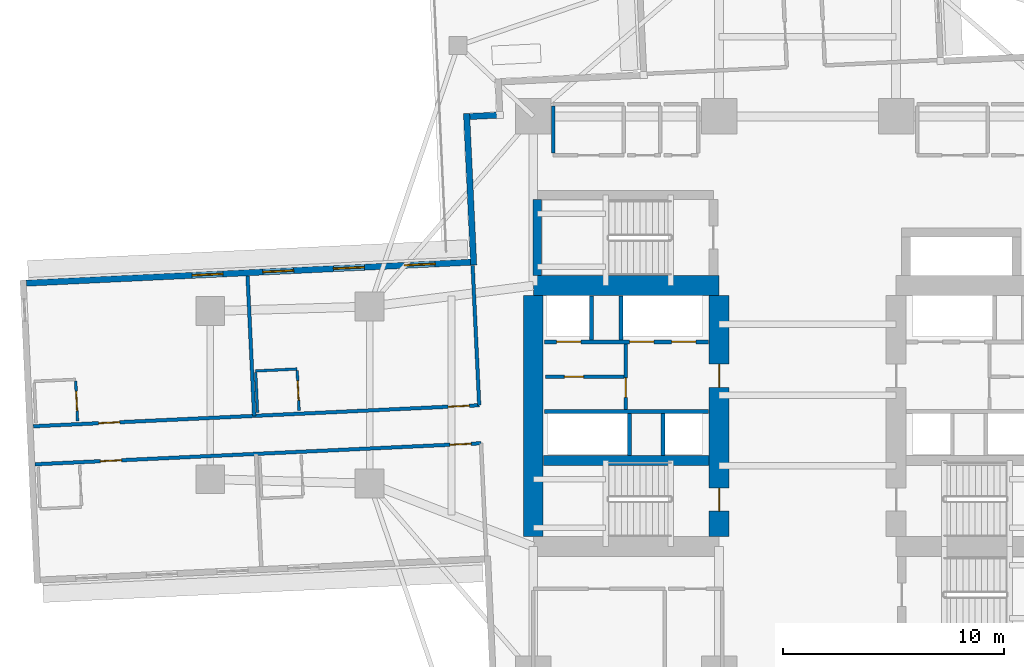
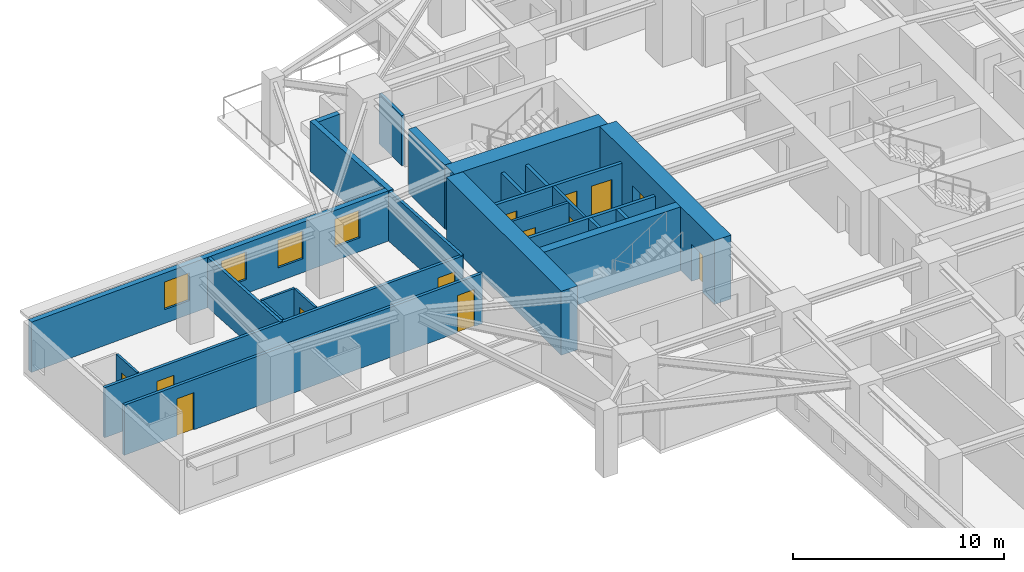
# One storey, part 5 of 14: 25 walls, 13 doors, 4 windows, 17 openings.
"""IFC4 building model written with IfcOpenShell, lengths in metres."""

import ifcopenshell
import ifcopenshell.guid

model = None  # the IFC model being written
_history = None  # IfcOwnerHistory: only IFC2X3 demands one
_inside = {}  # id of a spatial element -> (the spatial element, [elements in it])
_under = {}  # id of a project, library or spatial element -> (it, [spatial elements below it])
_declared = {}  # id of a project -> (the project, [libraries it declares])
_typed = {}  # id of a type object -> (the type object, [elements of that type])
_made_of = {}  # id of a material, layer set ... -> (it, [elements and type objects made of it])


def new_model(schema):
    """Start an empty IFC model of exactly this schema.

    Asked for "IFC4X3", IfcOpenShell would pick the latest addendum, in which some entities
    have other attributes; the version numbers below select the first issue.
    IFC2X3 requires an IfcOwnerHistory on every rooted entity: one is made here for all.
    """
    global model, _history
    if schema == "IFC4X3":
        model = ifcopenshell.file(schema_version=(4, 3, 0, 0))
    else:
        model = ifcopenshell.file(schema=schema)
    _inside.clear()
    _under.clear()
    _declared.clear()
    _typed.clear()
    _made_of.clear()
    _history = None
    if model.schema == "IFC2X3":
        org = make("IfcOrganization", Name="unknown")
        user = make(
            "IfcPersonAndOrganization",
            ThePerson=make("IfcPerson", FamilyName="unknown"),
            TheOrganization=org,
        )
        app = make(
            "IfcApplication",
            ApplicationDeveloper=org,
            Version="unknown",
            ApplicationFullName="unknown",
            ApplicationIdentifier="unknown",
        )
        _history = make(
            "IfcOwnerHistory",
            OwningUser=user,
            OwningApplication=app,
            ChangeAction="ADDED",
            CreationDate=0,
        )
    return model


def make(cls, **values):
    """One entity of the class cls with the attributes given. An attribute that is None is left unset."""
    return model.create_entity(
        cls, **{name: value for name, value in values.items() if value is not None}
    )


def rooted(cls, **values):
    """An entity with a GlobalId (a new one), such as an element, a storey or a relation."""
    return make(cls, GlobalId=ifcopenshell.guid.new(), OwnerHistory=_history, **values)


def si_unit(unit_type, name, prefix=None):
    """IfcSIUnit, for example si_unit("LENGTHUNIT", "METRE", prefix="MILLI")."""
    return make("IfcSIUnit", UnitType=unit_type, Prefix=prefix, Name=name)


def assignment(units):
    """IfcUnitAssignment: the units of a project."""
    return None if units is None else make("IfcUnitAssignment", Units=units)


def point(xyz):
    """IfcCartesianPoint."""
    return None if xyz is None else make("IfcCartesianPoint", Coordinates=xyz)


def direction(xyz):
    """IfcDirection."""
    return None if xyz is None else make("IfcDirection", DirectionRatios=xyz)


def frame(location, z_axis=None, x_axis=None):
    """IfcAxis2Placement3D, a coordinate frame: its origin and axes. An axis left out is left unset."""
    return make(
        "IfcAxis2Placement3D",
        Location=point(location),
        Axis=direction(z_axis),
        RefDirection=direction(x_axis),
    )


def frame_2d(location, x_axis=None):
    """IfcAxis2Placement2D, a coordinate frame in the plane: its origin and x axis."""
    return make(
        "IfcAxis2Placement2D", Location=point(location), RefDirection=direction(x_axis)
    )


def origin():
    """The frame at (0, 0, 0) with its axes left unset."""
    return frame((0.0, 0.0, 0.0))


def place(relative_to, where):
    """IfcLocalPlacement: puts the frame where relative to a parent placement (None: the world)."""
    return make(
        "IfcLocalPlacement", PlacementRelTo=relative_to, RelativePlacement=where
    )


def context(
    kind, dimensions, precision=None, world=None, true_north=None, identifier=None
):
    """IfcGeometricRepresentationContext, for example the 3D "Model" context."""
    return make(
        "IfcGeometricRepresentationContext",
        ContextIdentifier=identifier,
        ContextType=kind,
        CoordinateSpaceDimension=dimensions,
        Precision=precision,
        WorldCoordinateSystem=world,
        TrueNorth=true_north,
    )


def subcontext(parent, identifier, kind, view, scale=None):
    """IfcGeometricRepresentationSubContext, for example "Body" below "Model"."""
    return make(
        "IfcGeometricRepresentationSubContext",
        ContextIdentifier=identifier,
        ContextType=kind,
        ParentContext=parent,
        TargetScale=scale,
        TargetView=view,
    )


def project(units=None, contexts=None):
    """IfcProject with its units and contexts."""
    return rooted(
        "IfcProject",
        Name="project",
        RepresentationContexts=contexts,
        UnitsInContext=assignment(units),
    )


def spatial(cls, under=None, at=None, **own):
    """A site, building, storey or space (cls), placed at a placement, below another one or the project."""
    s = rooted(cls, ObjectPlacement=at, **own)
    if under is not None:
        _under.setdefault(under.id(), (under, []))[1].append(s)
    return s


def profile(cls, at=None, kind="AREA", **sizes):
    """A parametric profile (cls). Its sizes go by their IFC names, for example OverallWidth=200.0."""
    return make(cls, ProfileType=kind, Position=at, **sizes)


def rectangle(**sizes):
    """IfcRectangleProfileDef."""
    return profile("IfcRectangleProfileDef", **sizes)


def extrude(swept, where, along, depth):
    """IfcExtrudedAreaSolid: the profile swept, set in the frame where, extruded along a direction by depth."""
    return make(
        "IfcExtrudedAreaSolid",
        SweptArea=swept,
        Position=where,
        ExtrudedDirection=direction(along),
        Depth=depth,
    )


def shape(context_of_items, identifier, shape_type, items):
    """IfcShapeRepresentation: the items that make up one representation, for example the "Body"."""
    return make(
        "IfcShapeRepresentation",
        ContextOfItems=context_of_items,
        RepresentationIdentifier=identifier,
        RepresentationType=shape_type,
        Items=items,
    )


def material(Name=None, Category=None):
    """IfcMaterial."""
    return make("IfcMaterial", Name=Name, Category=Category)


def layer(
    of_material, thickness, ventilated=None, Name=None, Category=None, Priority=None
):
    """IfcMaterialLayer: one layer of a wall or slab, of a material (None: an air gap)."""
    return make(
        "IfcMaterialLayer",
        Material=of_material,
        LayerThickness=thickness,
        IsVentilated=ventilated,
        Name=Name,
        Category=Category,
        Priority=Priority,
    )


def layer_set(layers, Name=None):
    """IfcMaterialLayerSet."""
    return make("IfcMaterialLayerSet", MaterialLayers=layers, LayerSetName=Name)


def made_of(thing, what):
    """Note that an element or type object is made of a material, layer set ...; save() writes the relation."""
    if what is not None:
        _made_of.setdefault(what.id(), (what, []))[1].append(thing)
    return thing


def type_object(cls, material=None, **own):
    """A type object (cls), such as IfcWallType, which elements share."""
    return made_of(rooted(cls, **own), material)


def element(
    cls,
    number,
    at=None,
    inside=None,
    cuts=None,
    type_object=None,
    material=None,
    context=None,
    identifier="Body",
    shape_type=None,
    held_by="IfcProductDefinitionShape",
    body=None,
    shapes=None,
    **own,
):
    """One element of the class cls, such as IfcWall. Its Tag is "e" and its number.

    at: its placement. inside: the storey or other place that contains it. cuts: it is an
    opening in that element (IfcRelVoidsElement). A single representation is given by context,
    identifier, shape_type and body (its items); several are given by shapes. held_by: the class
    of the entity that holds the representations. save() writes the other relations.
    """
    e = rooted(cls, Tag="e%d" % number, ObjectPlacement=at, **own)
    if body is not None:
        shapes = [shape(context, identifier, shape_type, body)]
    if shapes is not None:
        e.Representation = make(held_by, Representations=shapes)
    if inside is not None:
        _inside.setdefault(inside.id(), (inside, []))[1].append(e)
    if cuts is not None:
        rooted(
            "IfcRelVoidsElement", RelatingBuildingElement=cuts, RelatedOpeningElement=e
        )
    if type_object is not None:
        _typed.setdefault(type_object.id(), (type_object, []))[1].append(e)
    return made_of(e, material)


def fill(opening, filler):
    """IfcRelFillsElement: the door or window that sits in an opening."""
    return rooted(
        "IfcRelFillsElement",
        RelatingOpeningElement=opening,
        RelatedBuildingElement=filler,
    )


def aggregate(whole, parts):
    """IfcRelAggregates: a whole, such as a stair, and the parts it consists of."""
    return rooted("IfcRelAggregates", RelatingObject=whole, RelatedObjects=parts)


def save(model, path):
    """Write the relations noted so far, then the file.

    IfcRelAggregates (storeys below a building ...), IfcRelContainedInSpatialStructure (elements
    in a storey), IfcRelDefinesByType, IfcRelAssociatesMaterial and IfcRelDeclares: one each for
    every whole, place, type object, material and project.
    """
    for whole, parts in _under.values():
        aggregate(whole, parts)
    for where, things in _inside.values():
        rooted(
            "IfcRelContainedInSpatialStructure",
            RelatedElements=things,
            RelatingStructure=where,
        )
    for kind, things in _typed.values():
        rooted("IfcRelDefinesByType", RelatedObjects=things, RelatingType=kind)
    for what, things in _made_of.values():
        rooted("IfcRelAssociatesMaterial", RelatedObjects=things, RelatingMaterial=what)
    for by, libraries in _declared.values():
        rooted("IfcRelDeclares", RelatingContext=by, RelatedDefinitions=libraries)
    model.write(path)


model = new_model("IFC4")

# Units and contexts
model_context = context("Model", 3, precision=1e-05, world=origin(), true_north=direction((0.0, 1.0)))
body_context = subcontext(model_context, "Body", "Model", "MODEL_VIEW")
ifc_project = project(units=[si_unit("LENGTHUNIT", "METRE"), si_unit("AREAUNIT", "SQUARE_METRE"), si_unit("VOLUMEUNIT", "CUBIC_METRE"), si_unit("PLANEANGLEUNIT", "RADIAN"), si_unit("MASSUNIT", "GRAM", prefix="KILO")], contexts=[model_context])

# Site, building, storey
site_placement = place(None, origin())
site = spatial("IfcSite", under=ifc_project, at=site_placement, CompositionType="ELEMENT")
building_placement = place(site_placement, origin())
building = spatial("IfcBuilding", under=site, at=building_placement, Name="Qingluan Cross Belvedere", CompositionType="ELEMENT")
storey_placement = place(building_placement, frame((0.0, 0.0, 35.39990234375)))
storey = spatial("IfcBuildingStorey", under=building, at=storey_placement, Name="L09", CompositionType="ELEMENT", Elevation=35.39990234375)

# Walls
ifc_material_1 = material(Name="Concrete C50", Category="concrete")
ifc_layer_1 = layer(ifc_material_1, 0.449951171875, Name="CoreShearWall_450")
ifc_layer_set_1 = layer_set([ifc_layer_1], Name="Concrete C50")
wall_type_1 = type_object("IfcWallType", Name="CoreShearWall_450", PredefinedType="SHEAR", material=ifc_layer_set_1)
wall_1_placement = place(storey_placement, frame((-11.945068359375, -2.9599609375, 0.0), z_axis=(0.0, 0.0, 1.0), x_axis=(1.0, 0.0, 0.0)))
element("IfcWall", 1, at=wall_1_placement, inside=storey, type_object=wall_type_1, Name="Split core W shear wall L09-M", PredefinedType="SHEAR", context=body_context, shape_type="SweptSolid", body=[
    extrude(rectangle(XDim=7.489990234375, YDim=0.449951171875, at=frame_2d((3.7451171875, 0.0))), origin(), (0.0, 0.0, 1.0), 3.7001953125),
])
wall_2_placement = place(storey_placement, frame((-12.219970703125, 5.405029296875, 0.0), z_axis=(0.0, 0.0, 1.0), x_axis=(0.0, 1.0, 0.0)))
element("IfcWall", 2, at=wall_2_placement, inside=storey, type_object=wall_type_1, Name="Stair ST3 structural wall W L09", PredefinedType="SHEAR", context=body_context, shape_type="SweptSolid", body=[
    extrude(rectangle(XDim=3.429931640625, YDim=0.39990234375, at=frame_2d((1.71484375, 0.0))), origin(), (0.0, 0.0, 1.0), 3.7001953125),
])
ifc_material_2 = material(Name="Concrete C70", Category="concrete")
ifc_layer_2 = layer(ifc_material_2, 0.89990234375, Name="CoreShearWall_900")
ifc_layer_set_2 = layer_set([ifc_layer_2], Name="Concrete C70")
wall_type_2 = type_object("IfcWallType", Name="CoreShearWall_900", PredefinedType="SHEAR", material=ifc_layer_set_2)
wall_3_placement = place(storey_placement, frame((-12.39990234375, 4.949951171875, 0.0), z_axis=(0.0, 0.0, 1.0), x_axis=(1.0, 0.0, 0.0)))
element("IfcWall", 3, at=wall_3_placement, inside=storey, type_object=wall_type_2, Name="Split core W shear wall L09-N", PredefinedType="SHEAR", context=body_context, shape_type="SweptSolid", body=[
    extrude(rectangle(XDim=8.39990234375, YDim=0.89990234375, at=frame_2d((4.199951171875, 0.0))), origin(), (0.0, 0.0, 1.0), 3.7001953125),
])
wall_4_placement = place(storey_placement, frame((-12.39990234375, -6.39501953125, 0.0), z_axis=(0.0, 0.0, 1.0), x_axis=(0.0, 1.0, 0.0)))
element("IfcWall", 4, at=wall_4_placement, inside=storey, type_object=wall_type_2, Name="Split core W shear wall L09-W", PredefinedType="SHEAR", context=body_context, shape_type="SweptSolid", body=[
    extrude(rectangle(XDim=10.89013671875, YDim=0.89990234375, at=frame_2d((5.445068359375, 0.0))), origin(), (0.0, 0.0, 1.0), 3.7001953125),
])

# Wall, openings, doors
wall_5_placement = place(storey_placement, frame((-4.0, -6.39501953125, 0.0), z_axis=(0.0, 0.0, 1.0), x_axis=(0.0, 1.0, 0.0)))
wall_5 = element("IfcWall", 5, at=wall_5_placement, inside=storey, type_object=wall_type_2, Name="Split core W shear wall L09-E", PredefinedType="SHEAR", context=body_context, shape_type="SweptSolid", body=[
    extrude(rectangle(XDim=10.89013671875, YDim=0.89990234375, at=frame_2d((5.445068359375, 0.0))), origin(), (0.0, 0.0, 1.0), 3.7001953125),
])
opening_1_placement = place(wall_5_placement, frame((1.14501953125, 0.0, 0.0)))
opening_1 = element("IfcOpeningElement", 6, at=opening_1_placement, cuts=wall_5, Name="Opening FD-B11", PredefinedType="OPENING", context=body_context, shape_type="SweptSolid", body=[
    extrude(rectangle(XDim=1.050048828125, YDim=2.14990234375, at=frame_2d((0.52490234375, 1.074951171875))), frame((0.0, 0.4599609375, 0.0), z_axis=(0.0, -1.0, 0.0), x_axis=(1.0, 0.0, 0.0)), (0.0, 0.0, 1.0), 0.919921875),
])
opening_2_placement = place(wall_5_placement, frame((6.7451171875, 0.0, 0.0)))
opening_2 = element("IfcOpeningElement", 7, at=opening_2_placement, cuts=wall_5, Name="Opening FD-B11", PredefinedType="OPENING", context=body_context, shape_type="SweptSolid", body=[
    extrude(rectangle(XDim=1.050048828125, YDim=2.14990234375, at=frame_2d((0.52490234375, 1.074951171875))), frame((0.0, 0.4599609375, 0.0), z_axis=(0.0, -1.0, 0.0), x_axis=(1.0, 0.0, 0.0)), (0.0, 0.0, 1.0), 0.919921875),
])
ifc_material_3 = material(Name="Steel Class B smoke-seal fire door", Category="steel")
door_type_1 = type_object("IfcDoorType", Name="StairLobbyFireDoor_FDB", OperationType="NOTDEFINED", PredefinedType="DOOR", material=ifc_material_3)
door_1_placement = place(opening_1_placement, origin())
door_1 = element("IfcDoor", 8, at=door_1_placement, inside=storey, type_object=door_type_1, Name="Smoke-proof stair ST1 fire door L09", OperationType="SINGLE_SWING_RIGHT", OverallHeight=2.14990234375, OverallWidth=1.050048828125, PredefinedType="DOOR", context=body_context, shape_type="SweptSolid", body=[
    extrude(rectangle(XDim=1.050048828125, YDim=2.14990234375, at=frame_2d((0.52490234375, 1.074951171875))), frame((0.0, 0.02490234375, 0.0), z_axis=(0.0, -1.0, 0.0), x_axis=(1.0, 0.0, 0.0)), (0.0, 0.0, 1.0), 0.050048828125),
])
fill(opening_1, door_1)
door_2_placement = place(opening_2_placement, origin())
door_2 = element("IfcDoor", 9, at=door_2_placement, inside=storey, type_object=door_type_1, Name="Firefighting lobby West fire door L09", OperationType="SINGLE_SWING_RIGHT", OverallHeight=2.14990234375, OverallWidth=1.050048828125, PredefinedType="DOOR", context=body_context, shape_type="SweptSolid", body=[
    extrude(rectangle(XDim=1.050048828125, YDim=2.14990234375, at=frame_2d((0.52490234375, 1.074951171875))), frame((0.0, 0.02490234375, 0.0), z_axis=(0.0, -1.0, 0.0), x_axis=(1.0, 0.0, 0.0)), (0.0, 0.0, 1.0), 0.050048828125),
])
fill(opening_2, door_2)

# Wall, opening, door
ifc_material_4 = material(Name="Gypsum plasterboard on steel stud acoustic partition", Category="steel")
ifc_layer_3 = layer(ifc_material_4, 0.159912109375, Name="CorridorPartition_160")
ifc_layer_set_3 = layer_set([ifc_layer_3], Name="Gypsum plasterboard on steel stud acoustic partition")
wall_type_3 = type_object("IfcWallType", Name="CorridorPartition_160", PredefinedType="PARTITIONING", material=ifc_layer_set_3)
wall_6_placement = place(storey_placement, frame((-11.85009765625, 0.830078125, 0.0), z_axis=(0.0, 0.0, 1.0), x_axis=(1.0, 0.0, 0.0)))
wall_6 = element("IfcWall", 10, at=wall_6_placement, inside=storey, type_object=wall_type_3, Name="Partition L09:w", PredefinedType="PARTITIONING", context=body_context, shape_type="SweptSolid", body=[
    extrude(rectangle(XDim=3.552001953125, YDim=0.139892578125, at=frame_2d((1.77587890625, 0.0))), origin(), (0.0, 0.0, 1.0), 2.900146484375),
])
opening_3_placement = place(wall_6_placement, frame((0.85009765625, 0.0, 0.0)))
opening_3 = element("IfcOpeningElement", 11, at=opening_3_placement, cuts=wall_6, Name="Opening FD-B10", PredefinedType="OPENING", context=body_context, shape_type="SweptSolid", body=[
    extrude(rectangle(XDim=0.8798828125, YDim=2.10009765625, at=frame_2d((0.43994140625, 1.050048828125))), frame((0.0, 0.079833984375, 0.0), z_axis=(0.0, -1.0, 0.0), x_axis=(1.0, 0.0, 0.0)), (0.0, 0.0, 1.0), 0.159912109375),
])
ifc_material_5 = material(Name="Steel Class B service fire door", Category="steel")
door_type_2 = type_object("IfcDoorType", Name="RiserServiceFireDoor_FDB", OperationType="NOTDEFINED", PredefinedType="DOOR", material=ifc_material_5)
door_3_placement = place(opening_3_placement, origin())
door_3 = element("IfcDoor", 12, at=door_3_placement, inside=storey, type_object=door_type_2, Name="Service closet inner door L09", OperationType="SINGLE_SWING_RIGHT", OverallHeight=2.10009765625, OverallWidth=0.8798828125, PredefinedType="DOOR", context=body_context, shape_type="SweptSolid", body=[
    extrude(rectangle(XDim=0.8798828125, YDim=2.10009765625, at=frame_2d((0.43994140625, 1.050048828125))), frame((0.0, 0.02490234375, 0.0), z_axis=(0.0, -1.0, 0.0), x_axis=(1.0, 0.0, 0.0)), (0.0, 0.0, 1.0), 0.050048828125),
])
fill(opening_3, door_3)

# Wall
wall_7_placement = place(storey_placement, frame((-11.5, 10.93505859375, 0.0), z_axis=(0.0, 0.0, 1.0), x_axis=(0.0, 1.0, 0.0)))
element("IfcWall", 13, at=wall_7_placement, inside=storey, type_object=wall_type_3, Name="Partition L09:q_nw_occ:W", PredefinedType="PARTITIONING", context=body_context, shape_type="SweptSolid", body=[
    extrude(rectangle(XDim=2.1298828125, YDim=0.159912109375, at=frame_2d((1.06494140625, 0.0))), origin(), (0.0, 0.0, 1.0), 2.900146484375),
])

# Wall, openings, doors
wall_8_placement = place(storey_placement, frame((-14.8447265625, -0.459716796875, 0.0), z_axis=(0.0, 0.0, 1.0), x_axis=(-0.998889926753, -0.047105352469, 0.0)))
wall_8 = element("IfcWall", 14, at=wall_8_placement, inside=storey, type_object=wall_type_3, Name="Partition L09:W:c0", PredefinedType="PARTITIONING", context=body_context, shape_type="SweptSolid", body=[
    extrude(rectangle(XDim=20.18212890625, YDim=0.159912109375, at=frame_2d((10.091064453125, 0.0))), origin(), (0.0, 0.0, 1.0), 2.900146484375),
])
opening_4_placement = place(wall_8_placement, frame((0.449951171875, 0.0, 0.0)))
opening_4 = element("IfcOpeningElement", 15, at=opening_4_placement, cuts=wall_8, Name="Opening GD-10", PredefinedType="OPENING", context=body_context, shape_type="SweptSolid", body=[
    extrude(rectangle(XDim=0.9599609375, YDim=2.14990234375, at=frame_2d((0.47998046875, 1.074951171875))), frame((0.0, 0.08984375, 0.0), z_axis=(0.0, -1.0, 0.0), x_axis=(1.0, 0.0, 0.0)), (0.0, 0.0, 1.0), 0.179931640625),
])
opening_5_placement = place(wall_8_placement, frame((16.26806640625, 0.0, 0.0)))
opening_5 = element("IfcOpeningElement", 16, at=opening_5_placement, cuts=wall_8, Name="Opening GD-10", PredefinedType="OPENING", context=body_context, shape_type="SweptSolid", body=[
    extrude(rectangle(XDim=0.9599609375, YDim=2.14990234375, at=frame_2d((0.47998046875, 1.074951171875))), frame((0.0, 0.08984375, 0.0), z_axis=(0.0, -1.0, 0.0), x_axis=(1.0, 0.0, 0.0)), (0.0, 0.0, 1.0), 0.179931640625),
])
ifc_material_6 = material(Name="Timber oak fire-rated acoustic guestroom door", Category="wood")
door_type_3 = type_object("IfcDoorType", Name="GuestEntryDoor_FD60", OperationType="NOTDEFINED", PredefinedType="DOOR", material=ifc_material_6)
door_4_placement = place(opening_4_placement, origin())
door_4 = element("IfcDoor", 17, at=door_4_placement, inside=storey, type_object=door_type_3, Name="Guest entry fire door 0905", OperationType="SINGLE_SWING_LEFT", OverallHeight=2.14990234375, OverallWidth=0.9599609375, PredefinedType="DOOR", context=body_context, shape_type="SweptSolid", body=[
    extrude(rectangle(XDim=0.9599609375, YDim=2.14990234375, at=frame_2d((0.47998046875, 1.074951171875))), frame((0.0, 0.02490234375, 0.0), z_axis=(0.0, -1.0, 0.0), x_axis=(1.0, 0.0, 0.0)), (0.0, 0.0, 1.0), 0.050048828125),
])
fill(opening_4, door_4)
door_5_placement = place(opening_5_placement, origin())
door_5 = element("IfcDoor", 18, at=door_5_placement, inside=storey, type_object=door_type_3, Name="Guest entry fire door 0906", OperationType="SINGLE_SWING_LEFT", OverallHeight=2.14990234375, OverallWidth=0.9599609375, PredefinedType="DOOR", context=body_context, shape_type="SweptSolid", body=[
    extrude(rectangle(XDim=0.9599609375, YDim=2.14990234375, at=frame_2d((0.47998046875, 1.074951171875))), frame((0.0, 0.02490234375, 0.0), z_axis=(0.0, -1.0, 0.0), x_axis=(1.0, 0.0, 0.0)), (0.0, 0.0, 1.0), 0.050048828125),
])
fill(opening_5, door_5)

# Walls
wall_9_placement = place(storey_placement, frame((-14.8447265625, -0.459716796875, 0.0), z_axis=(0.0, 0.0, 1.0), x_axis=(-0.047116333717, 0.998889408842, 0.0)))
element("IfcWall", 19, at=wall_9_placement, inside=storey, type_object=wall_type_3, Name="Partition L09:W:s0", PredefinedType="PARTITIONING", context=body_context, shape_type="SweptSolid", body=[
    extrude(rectangle(XDim=6.33203125, YDim=0.159912109375, at=frame_2d((3.166015625, 0.0))), origin(), (0.0, 0.0, 1.0), 2.900146484375),
])
wall_10_placement = place(storey_placement, frame((-25.0185546875, -0.939697265625, 0.0), z_axis=(0.0, 0.0, 1.0), x_axis=(-0.047114519152, 0.998889494431, 0.0)))
element("IfcWall", 20, at=wall_10_placement, inside=storey, type_object=wall_type_3, Name="Partition L09:W:d0_0", PredefinedType="PARTITIONING", context=body_context, shape_type="SweptSolid", body=[
    extrude(rectangle(XDim=6.332275390625, YDim=0.159912109375, at=frame_2d((3.166015625, 0.0))), origin(), (0.0, 0.0, 1.0), 2.900146484375),
])

# Wall, openings, doors
wall_11_placement = place(storey_placement, frame((-14.763916015625, -2.177978515625, 0.0), z_axis=(0.0, 0.0, 1.0), x_axis=(-0.998889899911, -0.047105921672, 0.0)))
wall_11 = element("IfcWall", 21, at=wall_11_placement, inside=storey, type_object=wall_type_3, Name="Partition L09:W:c1", PredefinedType="PARTITIONING", context=body_context, shape_type="SweptSolid", body=[
    extrude(rectangle(XDim=20.181884765625, YDim=0.159912109375, at=frame_2d((10.0908203125, 0.0))), origin(), (0.0, 0.0, 1.0), 2.900146484375),
])
opening_6_placement = place(wall_11_placement, frame((0.449951171875, 0.0, 0.0)))
opening_6 = element("IfcOpeningElement", 22, at=opening_6_placement, cuts=wall_11, Name="Opening GD-10", PredefinedType="OPENING", context=body_context, shape_type="SweptSolid", body=[
    extrude(rectangle(XDim=0.9599609375, YDim=2.14990234375, at=frame_2d((0.47998046875, 1.074951171875))), frame((0.0, 0.08984375, 0.0), z_axis=(0.0, -1.0, 0.0), x_axis=(1.0, 0.0, 0.0)), (0.0, 0.0, 1.0), 0.179931640625),
])
opening_7_placement = place(wall_11_placement, frame((16.26806640625, 0.0, 0.0)))
opening_7 = element("IfcOpeningElement", 23, at=opening_7_placement, cuts=wall_11, Name="Opening GD-10", PredefinedType="OPENING", context=body_context, shape_type="SweptSolid", body=[
    extrude(rectangle(XDim=0.9599609375, YDim=2.14990234375, at=frame_2d((0.47998046875, 1.074951171875))), frame((0.0, 0.08984375, 0.0), z_axis=(0.0, -1.0, 0.0), x_axis=(1.0, 0.0, 0.0)), (0.0, 0.0, 1.0), 0.179931640625),
])
door_6_placement = place(opening_6_placement, origin())
door_6 = element("IfcDoor", 24, at=door_6_placement, inside=storey, type_object=door_type_3, Name="Guest entry fire door 0907", OperationType="SINGLE_SWING_LEFT", OverallHeight=2.14990234375, OverallWidth=0.9599609375, PredefinedType="DOOR", context=body_context, shape_type="SweptSolid", body=[
    extrude(rectangle(XDim=0.9599609375, YDim=2.14990234375, at=frame_2d((0.47998046875, 1.074951171875))), frame((0.0, 0.02490234375, 0.0), z_axis=(0.0, -1.0, 0.0), x_axis=(1.0, 0.0, 0.0)), (0.0, 0.0, 1.0), 0.050048828125),
])
fill(opening_6, door_6)
door_7_placement = place(opening_7_placement, origin())
door_7 = element("IfcDoor", 25, at=door_7_placement, inside=storey, type_object=door_type_3, Name="Guest entry fire door 0908", OperationType="SINGLE_SWING_LEFT", OverallHeight=2.14990234375, OverallWidth=0.9599609375, PredefinedType="DOOR", context=body_context, shape_type="SweptSolid", body=[
    extrude(rectangle(XDim=0.9599609375, YDim=2.14990234375, at=frame_2d((0.47998046875, 1.074951171875))), frame((0.0, 0.02490234375, 0.0), z_axis=(0.0, -1.0, 0.0), x_axis=(1.0, 0.0, 0.0)), (0.0, 0.0, 1.0), 0.050048828125),
])
fill(opening_7, door_7)

# Wall, opening, door
ifc_material_7 = material(Name="Moisture-resistant gypsum board lining")
ifc_layer_4 = layer(ifc_material_7, 0.1201171875, Name="EnsuiteWetPartition_120")
ifc_layer_set_4 = layer_set([ifc_layer_4], Name="Moisture-resistant gypsum board lining")
wall_type_4 = type_object("IfcWallType", Name="EnsuiteWetPartition_120", PredefinedType="PARTITIONING", material=ifc_layer_set_4)
wall_12_placement = place(storey_placement, frame((-22.9873046875, -0.70361328125, 0.0), z_axis=(0.0, 0.0, 1.0), x_axis=(-0.047087116047, 0.998890786574, 0.0)))
wall_12 = element("IfcWall", 26, at=wall_12_placement, inside=storey, type_object=wall_type_4, Name="Partition L09:W:bs0_0", PredefinedType="PARTITIONING", context=body_context, shape_type="SweptSolid", body=[
    extrude(rectangle(XDim=1.81982421875, YDim=0.1201171875, at=frame_2d((0.909912109375, 0.0))), origin(), (0.0, 0.0, 1.0), 2.900146484375),
])
opening_8_placement = place(wall_12_placement, frame((0.469970703125, 0.0, 0.0)))
opening_8 = element("IfcOpeningElement", 27, at=opening_8_placement, cuts=wall_12, Name="Opening BD-09", PredefinedType="OPENING", context=body_context, shape_type="SweptSolid", body=[
    extrude(rectangle(XDim=0.8798828125, YDim=2.10009765625, at=frame_2d((0.43994140625, 1.050048828125))), frame((0.0, 0.070068359375, 0.0), z_axis=(0.0, -1.0, 0.0), x_axis=(1.0, 0.0, 0.0)), (0.0, 0.0, 1.0), 0.14013671875),
])
ifc_material_8 = material(Name="Moisture-sealed timber en-suite door", Category="wood")
door_type_4 = type_object("IfcDoorType", Name="BathroomDoor_880", OperationType="NOTDEFINED", PredefinedType="DOOR", material=ifc_material_8)
door_8_placement = place(opening_8_placement, origin())
door_8 = element("IfcDoor", 28, at=door_8_placement, inside=storey, type_object=door_type_4, Name="Bathroom door 0905", OperationType="SINGLE_SWING_RIGHT", OverallHeight=2.10009765625, OverallWidth=0.8798828125, PredefinedType="DOOR", context=body_context, shape_type="SweptSolid", body=[
    extrude(rectangle(XDim=0.8798828125, YDim=2.10009765625, at=frame_2d((0.43994140625, 1.050048828125))), frame((0.0, 0.02490234375, 0.0), z_axis=(0.0, -1.0, 0.0), x_axis=(1.0, 0.0, 0.0)), (0.0, 0.0, 1.0), 0.050048828125),
])
fill(opening_8, door_8)

# Walls
wall_13_placement = place(storey_placement, frame((-24.865234375, -0.792236328125, 0.0), z_axis=(0.0, 0.0, 1.0), x_axis=(-0.047080807099, 0.998891083954, 0.0)))
element("IfcWall", 29, at=wall_13_placement, inside=storey, type_object=wall_type_4, Name="Partition L09:W:bw0_0", PredefinedType="PARTITIONING", context=body_context, shape_type="SweptSolid", body=[
    extrude(rectangle(XDim=1.820068359375, YDim=0.1201171875, at=frame_2d((0.91015625, 0.0))), origin(), (0.0, 0.0, 1.0), 2.900146484375),
])
wall_14_placement = place(storey_placement, frame((-23.076171875, 1.17919921875, 0.0), z_axis=(0.0, 0.0, 1.0), x_axis=(-0.998894425757, -0.04700985207, 0.0)))
element("IfcWall", 30, at=wall_14_placement, inside=storey, type_object=wall_type_4, Name="Partition L09:W:bn0_0", PredefinedType="PARTITIONING", context=body_context, shape_type="SweptSolid", body=[
    extrude(rectangle(XDim=1.880126953125, YDim=0.1201171875, at=frame_2d((0.93994140625, 0.0))), origin(), (0.0, 0.0, 1.0), 2.900146484375),
])

# Wall, opening, door
wall_15_placement = place(storey_placement, frame((-33.001220703125, -1.17578125, 0.0), z_axis=(0.0, 0.0, 1.0), x_axis=(-0.047087116047, 0.998890786574, 0.0)))
wall_15 = element("IfcWall", 31, at=wall_15_placement, inside=storey, type_object=wall_type_4, Name="Partition L09:W:bs0_1", PredefinedType="PARTITIONING", context=body_context, shape_type="SweptSolid", body=[
    extrude(rectangle(XDim=1.81982421875, YDim=0.1201171875, at=frame_2d((0.909912109375, 0.0))), origin(), (0.0, 0.0, 1.0), 2.900146484375),
])
opening_9_placement = place(wall_15_placement, frame((0.469970703125, 0.0, 0.0)))
opening_9 = element("IfcOpeningElement", 32, at=opening_9_placement, cuts=wall_15, Name="Opening BD-09", PredefinedType="OPENING", context=body_context, shape_type="SweptSolid", body=[
    extrude(rectangle(XDim=0.8798828125, YDim=2.10009765625, at=frame_2d((0.43994140625, 1.050048828125))), frame((0.0, 0.070068359375, 0.0), z_axis=(0.0, -1.0, 0.0), x_axis=(1.0, 0.0, 0.0)), (0.0, 0.0, 1.0), 0.14013671875),
])
door_9_placement = place(opening_9_placement, origin())
door_9 = element("IfcDoor", 33, at=door_9_placement, inside=storey, type_object=door_type_4, Name="Bathroom door 0906", OperationType="SINGLE_SWING_RIGHT", OverallHeight=2.10009765625, OverallWidth=0.8798828125, PredefinedType="DOOR", context=body_context, shape_type="SweptSolid", body=[
    extrude(rectangle(XDim=0.8798828125, YDim=2.10009765625, at=frame_2d((0.43994140625, 1.050048828125))), frame((0.0, 0.02490234375, 0.0), z_axis=(0.0, -1.0, 0.0), x_axis=(1.0, 0.0, 0.0)), (0.0, 0.0, 1.0), 0.050048828125),
])
fill(opening_9, door_9)

# Wall, openings, windows
ifc_material_9 = material(Name="Precast concrete C45", Category="concrete")
ifc_layer_5 = layer(ifc_material_9, 0.280029296875, Name="PrecastFacadeWall_280")
ifc_layer_set_5 = layer_set([ifc_layer_5], Name="Precast concrete C45")
wall_type_5 = type_object("IfcWallType", Name="PrecastFacadeWall_280", PredefinedType="STANDARD", material=ifc_layer_set_5)
wall_16_placement = place(storey_placement, frame((-15.239990234375, 6.0087890625, 0.0), z_axis=(0.0, 0.0, 1.0), x_axis=(-0.998890015344, -0.047103473814, 0.0)))
wall_16 = element("IfcWall", 34, at=wall_16_placement, inside=storey, type_object=wall_type_5, Name="Facade wall L09-WA", PredefinedType="STANDARD", context=body_context, shape_type="SweptSolid", body=[
    extrude(rectangle(XDim=20.099853515625, YDim=0.280029296875, at=frame_2d((10.0498046875, 0.0))), origin(), (0.0, 0.0, 1.0), 2.91015625),
])
opening_10_placement = place(wall_16_placement, frame((1.60009765625, 0.0, 0.800048828125)))
opening_10 = element("IfcOpeningElement", 35, at=opening_10_placement, cuts=wall_16, Name="Opening W-01", PredefinedType="OPENING", context=body_context, shape_type="SweptSolid", body=[
    extrude(rectangle(XDim=1.39990234375, YDim=1.60009765625, at=frame_2d((0.699951171875, 0.800048828125))), frame((0.0, 0.14990234375, 0.0), z_axis=(0.0, -1.0, 0.0), x_axis=(1.0, 0.0, 0.0)), (0.0, 0.0, 1.0), 0.300048828125),
])
opening_11_placement = place(wall_16_placement, frame((4.800048828125, 0.0, 0.800048828125)))
opening_11 = element("IfcOpeningElement", 36, at=opening_11_placement, cuts=wall_16, Name="Opening W-01", PredefinedType="OPENING", context=body_context, shape_type="SweptSolid", body=[
    extrude(rectangle(XDim=1.39990234375, YDim=1.60009765625, at=frame_2d((0.699951171875, 0.800048828125))), frame((0.0, 0.14990234375, 0.0), z_axis=(0.0, -1.0, 0.0), x_axis=(1.0, 0.0, 0.0)), (0.0, 0.0, 1.0), 0.300048828125),
])
opening_12_placement = place(wall_16_placement, frame((8.0, 0.0, 0.800048828125)))
opening_12 = element("IfcOpeningElement", 37, at=opening_12_placement, cuts=wall_16, Name="Opening W-01", PredefinedType="OPENING", context=body_context, shape_type="SweptSolid", body=[
    extrude(rectangle(XDim=1.39990234375, YDim=1.60009765625, at=frame_2d((0.699951171875, 0.800048828125))), frame((0.0, 0.14990234375, 0.0), z_axis=(0.0, -1.0, 0.0), x_axis=(1.0, 0.0, 0.0)), (0.0, 0.0, 1.0), 0.300048828125),
])
opening_13_placement = place(wall_16_placement, frame((11.199951171875, 0.0, 0.800048828125)))
opening_13 = element("IfcOpeningElement", 38, at=opening_13_placement, cuts=wall_16, Name="Opening W-01", PredefinedType="OPENING", context=body_context, shape_type="SweptSolid", body=[
    extrude(rectangle(XDim=1.39990234375, YDim=1.60009765625, at=frame_2d((0.699951171875, 0.800048828125))), frame((0.0, 0.14990234375, 0.0), z_axis=(0.0, -1.0, 0.0), x_axis=(1.0, 0.0, 0.0)), (0.0, 0.0, 1.0), 0.300048828125),
])
ifc_material_10 = material(Name="Thermally broken triple Low-E glass in aluminium frame", Category="aluminium")
window_type = type_object("IfcWindowType", Name="TriRibbonWin_1400x1600", PartitioningType="SINGLE_PANEL", PredefinedType="WINDOW", material=ifc_material_10)
window_1_placement = place(opening_10_placement, origin())
window_1 = element("IfcWindow", 39, at=window_1_placement, inside=storey, type_object=window_type, Name="Ribbon window L09-WA-1", OverallHeight=1.60009765625, OverallWidth=1.39990234375, PartitioningType="SINGLE_PANEL", PredefinedType="WINDOW", context=body_context, shape_type="SweptSolid", body=[
    extrude(rectangle(XDim=1.39990234375, YDim=1.60009765625, at=frame_2d((0.699951171875, 0.800048828125))), frame((0.0, 0.030029296875, 0.0), z_axis=(0.0, -1.0, 0.0), x_axis=(1.0, 0.0, 0.0)), (0.0, 0.0, 1.0), 0.06005859375),
])
fill(opening_10, window_1)
window_2_placement = place(opening_11_placement, origin())
window_2 = element("IfcWindow", 40, at=window_2_placement, inside=storey, type_object=window_type, Name="Ribbon window L09-WA-2", OverallHeight=1.60009765625, OverallWidth=1.39990234375, PartitioningType="SINGLE_PANEL", PredefinedType="WINDOW", context=body_context, shape_type="SweptSolid", body=[
    extrude(rectangle(XDim=1.39990234375, YDim=1.60009765625, at=frame_2d((0.699951171875, 0.800048828125))), frame((0.0, 0.030029296875, 0.0), z_axis=(0.0, -1.0, 0.0), x_axis=(1.0, 0.0, 0.0)), (0.0, 0.0, 1.0), 0.06005859375),
])
fill(opening_11, window_2)
window_3_placement = place(opening_12_placement, origin())
window_3 = element("IfcWindow", 41, at=window_3_placement, inside=storey, type_object=window_type, Name="Ribbon window L09-WA-3", OverallHeight=1.60009765625, OverallWidth=1.39990234375, PartitioningType="SINGLE_PANEL", PredefinedType="WINDOW", context=body_context, shape_type="SweptSolid", body=[
    extrude(rectangle(XDim=1.39990234375, YDim=1.60009765625, at=frame_2d((0.699951171875, 0.800048828125))), frame((0.0, 0.030029296875, 0.0), z_axis=(0.0, -1.0, 0.0), x_axis=(1.0, 0.0, 0.0)), (0.0, 0.0, 1.0), 0.06005859375),
])
fill(opening_12, window_3)
window_4_placement = place(opening_13_placement, origin())
window_4 = element("IfcWindow", 42, at=window_4_placement, inside=storey, type_object=window_type, Name="Ribbon window L09-WA-4", OverallHeight=1.60009765625, OverallWidth=1.39990234375, PartitioningType="SINGLE_PANEL", PredefinedType="WINDOW", context=body_context, shape_type="SweptSolid", body=[
    extrude(rectangle(XDim=1.39990234375, YDim=1.60009765625, at=frame_2d((0.699951171875, 0.800048828125))), frame((0.0, 0.030029296875, 0.0), z_axis=(0.0, -1.0, 0.0), x_axis=(1.0, 0.0, 0.0)), (0.0, 0.0, 1.0), 0.06005859375),
])
fill(opening_13, window_4)

# Walls
wall_17_placement = place(storey_placement, frame((-15.093505859375, 5.87548828125, 0.0), z_axis=(0.0, 0.0, 1.0), x_axis=(-0.04712043756, 0.998889215261, 0.0)))
element("IfcWall", 43, at=wall_17_placement, inside=storey, type_object=wall_type_5, Name="Corner wall L09-NW1", PredefinedType="STANDARD", context=body_context, shape_type="SweptSolid", body=[
    extrude(rectangle(XDim=6.85986328125, YDim=0.280029296875, at=frame_2d((3.429931640625, 0.0))), origin(), (0.0, 0.0, 1.0), 2.91015625),
])
wall_18_placement = place(storey_placement, frame((-15.270263671875, 12.5947265625, 0.0), z_axis=(0.0, 0.0, 1.0), x_axis=(0.998893795343, 0.047023245574, 0.0)))
element("IfcWall", 44, at=wall_18_placement, inside=storey, type_object=wall_type_5, Name="Corner wall L09-NW2", PredefinedType="STANDARD", context=body_context, shape_type="SweptSolid", body=[
    extrude(rectangle(XDim=1.22021484375, YDim=0.280029296875, at=frame_2d((0.610107421875, 0.0))), origin(), (0.0, 0.0, 1.0), 2.91015625),
])

# Wall, openings, doors
ifc_material_11 = material(Name="Concrete C40", Category="concrete")
ifc_layer_6 = layer(ifc_material_11, 0.219970703125, Name="ShaftEnclosureWall_250")
ifc_layer_set_6 = layer_set([ifc_layer_6], Name="Concrete C40")
wall_type_6 = type_object("IfcWallType", Name="ShaftEnclosureWall_250", PredefinedType="SOLIDWALL", material=ifc_layer_set_6)
wall_19_placement = place(storey_placement, frame((-11.89990234375, 2.409912109375, 0.0), z_axis=(0.0, 0.0, 1.0), x_axis=(1.0, 0.0, 0.0)))
wall_19 = element("IfcWall", 45, at=wall_19_placement, inside=storey, type_object=wall_type_6, Name="Core-W north hoistway wall L09", PredefinedType="SOLIDWALL", context=body_context, shape_type="SweptSolid", body=[
    extrude(rectangle(XDim=7.419921875, YDim=0.179931640625, at=frame_2d((3.7099609375, 0.0))), origin(), (0.0, 0.0, 1.0), 2.900146484375),
])
opening_14_placement = place(wall_19_placement, frame((0.550048828125, 0.0, 0.0)))
opening_14 = element("IfcOpeningElement", 46, at=opening_14_placement, cuts=wall_19, Name="Opening LD-11", PredefinedType="OPENING", context=body_context, shape_type="SweptSolid", body=[
    extrude(rectangle(XDim=1.10009765625, YDim=2.14990234375, at=frame_2d((0.550048828125, 1.074951171875))), frame((0.0, 0.099853515625, 0.0), z_axis=(0.0, -1.0, 0.0), x_axis=(1.0, 0.0, 0.0)), (0.0, 0.0, 1.0), 0.199951171875),
])
opening_15_placement = place(wall_19_placement, frame((3.85009765625, 0.0, 0.0)))
opening_15 = element("IfcOpeningElement", 47, at=opening_15_placement, cuts=wall_19, Name="Opening LD-11", PredefinedType="OPENING", context=body_context, shape_type="SweptSolid", body=[
    extrude(rectangle(XDim=1.10009765625, YDim=2.14990234375, at=frame_2d((0.550048828125, 1.074951171875))), frame((0.0, 0.099853515625, 0.0), z_axis=(0.0, -1.0, 0.0), x_axis=(1.0, 0.0, 0.0)), (0.0, 0.0, 1.0), 0.199951171875),
])
opening_16_placement = place(wall_19_placement, frame((5.75, 0.0, 0.0)))
opening_16 = element("IfcOpeningElement", 48, at=opening_16_placement, cuts=wall_19, Name="Opening LD-11", PredefinedType="OPENING", context=body_context, shape_type="SweptSolid", body=[
    extrude(rectangle(XDim=1.10009765625, YDim=2.14990234375, at=frame_2d((0.550048828125, 1.074951171875))), frame((0.0, 0.099853515625, 0.0), z_axis=(0.0, -1.0, 0.0), x_axis=(1.0, 0.0, 0.0)), (0.0, 0.0, 1.0), 0.199951171875),
])
ifc_material_12 = material(Name="Brushed stainless steel centre-opening lift landing door", Category="steel")
door_type_5 = type_object("IfcDoorType", Name="LiftLandingSlidingDoor_1100", OperationType="DOUBLE_DOOR_SLIDING", PredefinedType="DOOR", material=ifc_material_12)
door_10_placement = place(opening_14_placement, origin())
door_10 = element("IfcDoor", 49, at=door_10_placement, inside=storey, type_object=door_type_5, Name="Lift landing sliding door FL1 L09", OperationType="DOUBLE_DOOR_SLIDING", OverallHeight=2.14990234375, OverallWidth=1.10009765625, PredefinedType="DOOR", context=body_context, shape_type="SweptSolid", body=[
    extrude(rectangle(XDim=1.10009765625, YDim=2.14990234375, at=frame_2d((0.550048828125, 1.074951171875))), frame((0.0, 0.02490234375, 0.0), z_axis=(0.0, -1.0, 0.0), x_axis=(1.0, 0.0, 0.0)), (0.0, 0.0, 1.0), 0.050048828125),
])
fill(opening_14, door_10)
door_11_placement = place(opening_15_placement, origin())
door_11 = element("IfcDoor", 50, at=door_11_placement, inside=storey, type_object=door_type_5, Name="Lift landing sliding door LP1 L09", OperationType="DOUBLE_DOOR_SLIDING", OverallHeight=2.14990234375, OverallWidth=1.10009765625, PredefinedType="DOOR", context=body_context, shape_type="SweptSolid", body=[
    extrude(rectangle(XDim=1.10009765625, YDim=2.14990234375, at=frame_2d((0.550048828125, 1.074951171875))), frame((0.0, 0.02490234375, 0.0), z_axis=(0.0, -1.0, 0.0), x_axis=(1.0, 0.0, 0.0)), (0.0, 0.0, 1.0), 0.050048828125),
])
fill(opening_15, door_11)
door_12_placement = place(opening_16_placement, origin())
door_12 = element("IfcDoor", 51, at=door_12_placement, inside=storey, type_object=door_type_5, Name="Lift landing sliding door LP2 L09", OperationType="DOUBLE_DOOR_SLIDING", OverallHeight=2.14990234375, OverallWidth=1.10009765625, PredefinedType="DOOR", context=body_context, shape_type="SweptSolid", body=[
    extrude(rectangle(XDim=1.10009765625, YDim=2.14990234375, at=frame_2d((0.550048828125, 1.074951171875))), frame((0.0, 0.02490234375, 0.0), z_axis=(0.0, -1.0, 0.0), x_axis=(1.0, 0.0, 0.0)), (0.0, 0.0, 1.0), 0.050048828125),
])
fill(opening_16, door_12)

# Walls
wall_20_placement = place(storey_placement, frame((-11.89990234375, -0.75, 0.0), z_axis=(0.0, 0.0, 1.0), x_axis=(1.0, 0.0, 0.0)))
element("IfcWall", 52, at=wall_20_placement, inside=storey, type_object=wall_type_6, Name="Core-W mid hoistway wall L09", PredefinedType="SOLIDWALL", context=body_context, shape_type="SweptSolid", body=[
    extrude(rectangle(XDim=7.419921875, YDim=0.179931640625, at=frame_2d((3.7099609375, 0.0))), origin(), (0.0, 0.0, 1.0), 2.900146484375),
])
for number, where, z_axis, x_axis, name in (
    (53, (-9.760009765625, 2.5, 0.0), (0.0, 0.0, 1.0), (0.0, 1.0, 0.0), "Hoistway enclosure divider FL1E L09"),
    (54, (-8.43994140625, 2.5, 0.0), (0.0, 0.0, 1.0), (0.0, 1.0, 0.0), "Hoistway enclosure divider LP1W L09"),
):
    element("IfcWall", number, at=place(storey_placement, frame(where, z_axis=z_axis, x_axis=x_axis)), inside=storey, type_object=wall_type_6, Name=name, PredefinedType="SOLIDWALL", context=body_context, shape_type="SweptSolid", body=[
        extrude(rectangle(XDim=1.989990234375, YDim=0.179931640625, at=frame_2d((0.9951171875, 0.0))), origin(), (0.0, 0.0, 1.0), 2.900146484375),
    ])
for number, where, z_axis, x_axis, name in (
    (55, (-8.06005859375, -2.72998046875, 0.0), (0.0, 0.0, 1.0), (0.0, 1.0, 0.0), "Hoistway enclosure divider LP6E L09"),
    (56, (-6.5400390625, -2.72998046875, 0.0), (0.0, 0.0, 1.0), (0.0, 1.0, 0.0), "Hoistway enclosure divider LP8W L09"),
):
    element("IfcWall", number, at=place(storey_placement, frame(where, z_axis=z_axis, x_axis=x_axis)), inside=storey, type_object=wall_type_6, Name=name, PredefinedType="SOLIDWALL", context=body_context, shape_type="SweptSolid", body=[
        extrude(rectangle(XDim=1.889892578125, YDim=0.179931640625, at=frame_2d((0.94482421875, 0.0))), origin(), (0.0, 0.0, 1.0), 2.900146484375),
    ])

# Wall, opening, door
wall_21_placement = place(storey_placement, frame((-8.219970703125, -0.64990234375, 0.0), z_axis=(0.0, 0.0, 1.0), x_axis=(0.0, 1.0, 0.0)))
wall_21 = element("IfcWall", 57, at=wall_21_placement, inside=storey, type_object=wall_type_6, Name="Core-W service corridor wall L09", PredefinedType="SOLIDWALL", context=body_context, shape_type="SweptSolid", body=[
    extrude(rectangle(XDim=2.9599609375, YDim=0.139892578125, at=frame_2d((1.47998046875, 0.0))), origin(), (0.0, 0.0, 1.0), 2.900146484375),
])
opening_17_placement = place(wall_21_placement, frame((0.550048828125, 0.0, 0.0)))
opening_17 = element("IfcOpeningElement", 58, at=opening_17_placement, cuts=wall_21, Name="Opening FD-B10", PredefinedType="OPENING", context=body_context, shape_type="SweptSolid", body=[
    extrude(rectangle(XDim=0.8798828125, YDim=2.10009765625, at=frame_2d((0.43994140625, 1.050048828125))), frame((0.0, 0.079833984375, 0.0), z_axis=(0.0, -1.0, 0.0), x_axis=(1.0, 0.0, 0.0)), (0.0, 0.0, 1.0), 0.159912109375),
])
door_13_placement = place(opening_17_placement, origin())
door_13 = element("IfcDoor", 59, at=door_13_placement, inside=storey, type_object=door_type_2, Name="Core-W service room door L09", OperationType="SINGLE_SWING_RIGHT", OverallHeight=2.10009765625, OverallWidth=0.8798828125, PredefinedType="DOOR", context=body_context, shape_type="SweptSolid", body=[
    extrude(rectangle(XDim=0.8798828125, YDim=2.10009765625, at=frame_2d((0.43994140625, 1.050048828125))), frame((0.0, 0.02490234375, 0.0), z_axis=(0.0, -1.0, 0.0), x_axis=(1.0, 0.0, 0.0)), (0.0, 0.0, 1.0), 0.050048828125),
])
fill(opening_17, door_13)

save(model, "model.ifc")
